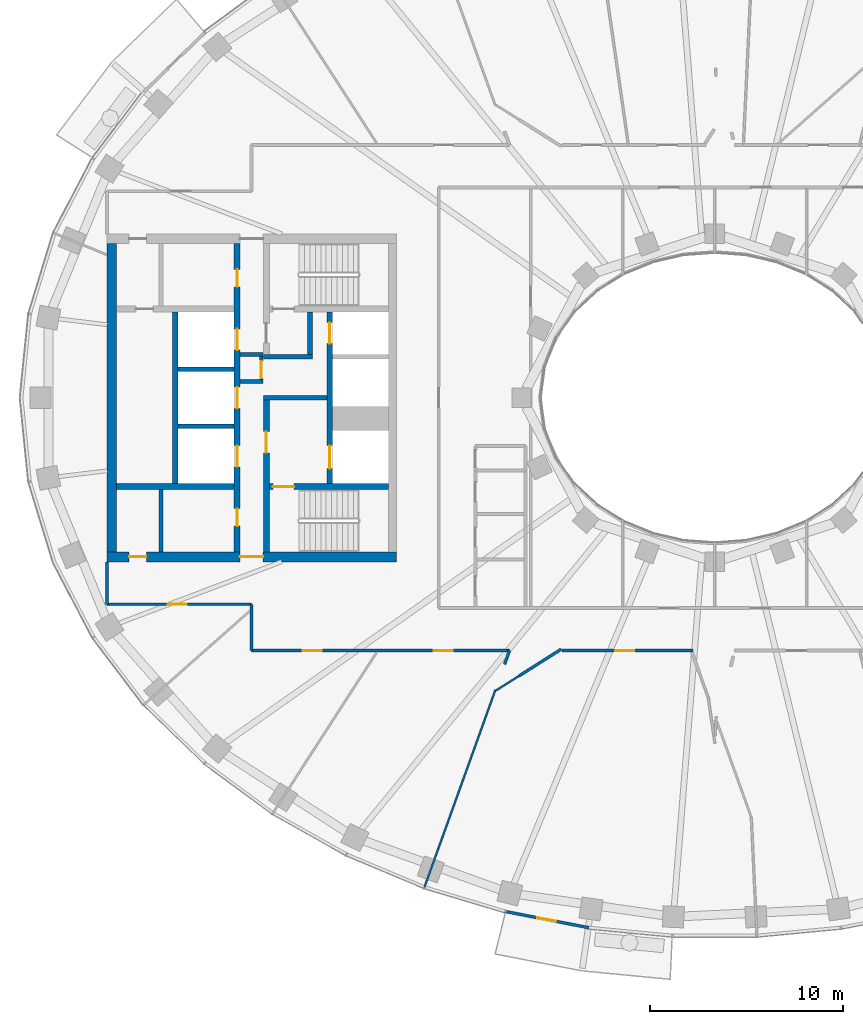
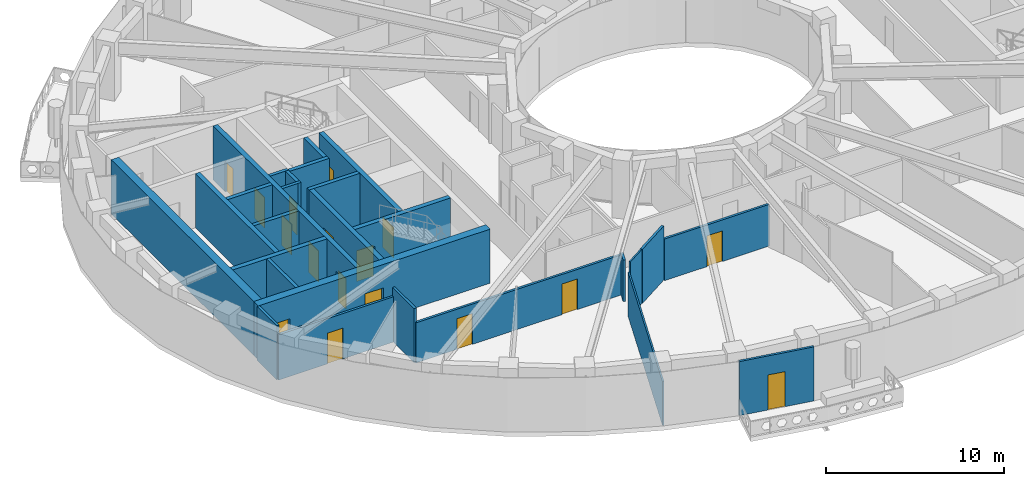
# One storey, part 3 of 16: 27 walls, 17 doors, 17 openings.
"""IFC4 building model written with IfcOpenShell, lengths in metres."""

from ifc_helpers import new_model, si_unit, direction, frame, frame_2d, origin, place, context, subcontext, project, spatial, rectangle, extrude, material, layer, layer_set, type_object, element, fill, save


model = new_model("IFC4")

# Units and contexts
model_context = context("Model", 3, precision=1e-05, world=origin(), true_north=direction((0.0, 1.0)))
body_context = subcontext(model_context, "Body", "Model", "MODEL_VIEW")
ifc_project = project(units=[si_unit("LENGTHUNIT", "METRE"), si_unit("AREAUNIT", "SQUARE_METRE"), si_unit("VOLUMEUNIT", "CUBIC_METRE"), si_unit("PLANEANGLEUNIT", "RADIAN"), si_unit("MASSUNIT", "GRAM", prefix="KILO")], contexts=[model_context])

# Site, building, storey
site_placement = place(None, origin())
site = spatial("IfcSite", under=ifc_project, at=site_placement, CompositionType="ELEMENT")
building_placement = place(site_placement, origin())
building = spatial("IfcBuilding", under=site, at=building_placement, Name="Noorbagh Ring Tower", CompositionType="ELEMENT")
storey_placement = place(building_placement, frame((0.0, 0.0, 237.5)))
storey = spatial("IfcBuildingStorey", under=building, at=storey_placement, Name="L49", CompositionType="ELEMENT", Elevation=237.5)

# Walls
ifc_material_1 = material(Name="Gypsum board on steel studs", Category="steel")
ifc_layer_1 = layer(ifc_material_1, 0.199951171875)
ifc_layer_set_1 = layer_set([ifc_layer_1], Name="Gypsum board on steel studs")
wall_type_1 = type_object("IfcWallType", Name="CORE-PARTITION-200", PredefinedType="PARTITIONING", material=ifc_layer_set_1)
for number, where, z_axis, x_axis, name in (
    (1, (-23.39990234375, 0.85009765625, 0.0), (0.0, 0.0, 1.0), (-1.0, 0.0, 0.0), "Core partition W"),
    (2, (-23.39990234375, 2.25, 0.0), (0.0, 0.0, 1.0), (-1.0, 0.0, 0.0), "Core partition W"),
):
    element("IfcWall", number, at=place(storey_placement, frame(where, z_axis=z_axis, x_axis=x_axis)), inside=storey, type_object=wall_type_1, Name=name, PredefinedType="PARTITIONING", context=body_context, shape_type="SweptSolid", body=[
        extrude(rectangle(XDim=1.2001953125, YDim=0.199951171875, at=frame_2d((0.60009765625, 0.0))), origin(), (0.0, 0.0, 1.0), 3.699951171875),
    ])

# Wall, opening, door
wall_1_placement = place(storey_placement, frame((-23.5, 0.75, 0.0), z_axis=(0.0, 0.0, 1.0), x_axis=(0.0, 1.0, 0.0)))
wall_1 = element("IfcWall", 3, at=wall_1_placement, inside=storey, type_object=wall_type_1, Name="Core partition W", PredefinedType="PARTITIONING", context=body_context, shape_type="SweptSolid", body=[
    extrude(rectangle(XDim=1.60009765625, YDim=0.199951171875, at=frame_2d((0.800048828125, 0.0))), origin(), (0.0, 0.0, 1.0), 3.699951171875),
])
opening_1_placement = place(wall_1_placement, frame((0.25, 0.0, 0.0)))
opening_1 = element("IfcOpeningElement", 4, at=opening_1_placement, cuts=wall_1, Name="Opening L49-CW16", PredefinedType="OPENING", context=body_context, shape_type="SweptSolid", body=[
    extrude(rectangle(XDim=0.89990234375, YDim=2.10009765625, at=frame_2d((0.449951171875, 1.050048828125))), frame((0.0, 0.10986328125, 0.0), z_axis=(0.0, -1.0, 0.0), x_axis=(1.0, 0.0, 0.0)), (0.0, 0.0, 1.0), 0.219970703125),
])
ifc_material_2 = material(Name="Steel door leaf", Category="steel")
door_type_1 = type_object("IfcDoorType", Name="CORE-DOOR-DROOM", OperationType="SINGLE_SWING_LEFT", PredefinedType="DOOR", material=ifc_material_2)
door_1_placement = place(opening_1_placement, origin())
door_1 = element("IfcDoor", 5, at=door_1_placement, inside=storey, type_object=door_type_1, Name="Core room door L49-CW16", OperationType="SINGLE_SWING_RIGHT", OverallHeight=2.10009765625, OverallWidth=0.89990234375, PredefinedType="DOOR", context=body_context, shape_type="SweptSolid", body=[
    extrude(rectangle(XDim=0.89990234375, YDim=2.10009765625, at=frame_2d((0.449951171875, 1.050048828125))), frame((0.0, 0.02490234375, 0.0), z_axis=(0.0, -1.0, 0.0), x_axis=(1.0, 0.0, 0.0)), (0.0, 0.0, 1.0), 0.050048828125),
])
fill(opening_1, door_1)

# Walls
wall_2_placement = place(storey_placement, frame((-28.699951171875, -8.0, 0.0), z_axis=(0.0, 0.0, 1.0), x_axis=(0.0, 1.0, 0.0)))
element("IfcWall", 6, at=wall_2_placement, inside=storey, type_object=wall_type_1, Name="Core partition W", PredefinedType="PARTITIONING", context=body_context, shape_type="SweptSolid", body=[
    extrude(rectangle(XDim=3.25, YDim=0.199951171875, at=frame_2d((1.625, 0.0))), origin(), (0.0, 0.0, 1.0), 3.699951171875),
])
ifc_material_3 = material(Name="Concrete C60/75", Category="concrete")
ifc_layer_2 = layer(ifc_material_3, 0.25)
ifc_layer_set_2 = layer_set([ifc_layer_2], Name="Concrete C60/75")
wall_type_2 = type_object("IfcWallType", Name="CORE-WALL-250-C60-75-EI120", PredefinedType="SHEAR", material=ifc_layer_set_2)
for number, where, z_axis, x_axis, name in (
    (7, (-24.89990234375, -1.47509765625, 0.0), (0.0, 0.0, 1.0), (-1.0, 0.0, 0.0), "Core wall W"),
    (8, (-24.89990234375, 1.47509765625, 0.0), (0.0, 0.0, 1.0), (-1.0, 0.0, 0.0), "Core wall W"),
):
    element("IfcWall", number, at=place(storey_placement, frame(where, z_axis=z_axis, x_axis=x_axis)), inside=storey, type_object=wall_type_2, Name=name, PredefinedType="SHEAR", context=body_context, shape_type="SweptSolid", body=[
        extrude(rectangle(XDim=2.900146484375, YDim=0.25, at=frame_2d((1.4501953125, 0.0))), origin(), (0.0, 0.0, 1.0), 3.699951171875),
    ])
ifc_material_4 = material(Name="Concrete C60/75", Category="concrete")
ifc_layer_3 = layer(ifc_material_4, 0.25)
ifc_layer_set_3 = layer_set([ifc_layer_3], Name="Concrete C60/75")
wall_type_3 = type_object("IfcWallType", Name="CORE-WALL-250-C60-75-EI240", PredefinedType="SHEAR", material=ifc_layer_set_3)
wall_3_placement = place(storey_placement, frame((-20.10009765625, 0.0, 0.0), z_axis=(0.0, 0.0, 1.0), x_axis=(-1.0, 0.0, 0.0)))
element("IfcWall", 9, at=wall_3_placement, inside=storey, type_object=wall_type_3, Name="Core wall W", PredefinedType="SHEAR", context=body_context, shape_type="SweptSolid", body=[
    extrude(rectangle(XDim=3.27978515625, YDim=0.25, at=frame_2d((1.639892578125, 0.0))), origin(), (0.0, 0.0, 1.0), 3.699951171875),
])
wall_4_placement = place(storey_placement, frame((-20.85009765625, 2.125, 0.0), z_axis=(0.0, 0.0, 1.0), x_axis=(-1.0, 0.0, 0.0)))
element("IfcWall", 10, at=wall_4_placement, inside=storey, type_object=wall_type_3, Name="Core wall W", PredefinedType="SHEAR", context=body_context, shape_type="SweptSolid", body=[
    extrude(rectangle(XDim=2.52978515625, YDim=0.25, at=frame_2d((1.264892578125, 0.0))), origin(), (0.0, 0.0, 1.0), 3.699951171875),
])
wall_5_placement = place(storey_placement, frame((-20.97509765625, 2.25, 0.0), z_axis=(0.0, 0.0, 1.0), x_axis=(0.0, 1.0, 0.0)))
element("IfcWall", 11, at=wall_5_placement, inside=storey, type_object=wall_type_3, Name="Core wall W", PredefinedType="SHEAR", context=body_context, shape_type="SweptSolid", body=[
    extrude(rectangle(XDim=2.199951171875, YDim=0.25, at=frame_2d((1.10009765625, 0.0))), origin(), (0.0, 0.0, 1.0), 3.699951171875),
])
ifc_material_5 = material(Name="Concrete C60/75", Category="concrete")
ifc_layer_4 = layer(ifc_material_5, 0.300048828125)
ifc_layer_set_4 = layer_set([ifc_layer_4], Name="Concrete C60/75")
wall_type_4 = type_object("IfcWallType", Name="CORE-WALL-300-C60-75-EI120", PredefinedType="SHEAR", material=ifc_layer_set_4)
wall_6_placement = place(storey_placement, frame((-27.949951171875, -4.449951171875, 0.0), z_axis=(0.0, 0.0, 1.0), x_axis=(0.0, 1.0, 0.0)))
element("IfcWall", 12, at=wall_6_placement, inside=storey, type_object=wall_type_4, Name="Core wall W", PredefinedType="SHEAR", context=body_context, shape_type="SweptSolid", body=[
    extrude(rectangle(XDim=8.89990234375, YDim=0.300048828125, at=frame_2d((4.449951171875, 0.0))), origin(), (0.0, 0.0, 1.0), 3.699951171875),
])

# Wall, openings, doors
wall_7_placement = place(storey_placement, frame((-19.949951171875, -4.449951171875, 0.0), z_axis=(0.0, 0.0, 1.0), x_axis=(0.0, 1.0, 0.0)))
wall_7 = element("IfcWall", 13, at=wall_7_placement, inside=storey, type_object=wall_type_4, Name="Core wall W", PredefinedType="SHEAR", context=body_context, shape_type="SweptSolid", body=[
    extrude(rectangle(XDim=8.89990234375, YDim=0.300048828125, at=frame_2d((4.449951171875, 0.0))), origin(), (0.0, 0.0, 1.0), 3.699951171875),
])
opening_2_placement = place(wall_7_placement, frame((0.77490234375, 0.0, 0.0)))
opening_2 = element("IfcOpeningElement", 14, at=opening_2_placement, cuts=wall_7, Name="Opening L49-CW01", PredefinedType="OPENING", context=body_context, shape_type="SweptSolid", body=[
    extrude(rectangle(XDim=1.199951171875, YDim=2.10009765625, at=frame_2d((0.60009765625, 1.050048828125))), frame((0.0, 0.16015625, 0.0), z_axis=(0.0, -1.0, 0.0), x_axis=(1.0, 0.0, 0.0)), (0.0, 0.0, 1.0), 0.320068359375),
])
opening_3_placement = place(wall_7_placement, frame((7.25, 0.0, 0.0)))
opening_3 = element("IfcOpeningElement", 15, at=opening_3_placement, cuts=wall_7, Name="Opening L49-CW02", PredefinedType="OPENING", context=body_context, shape_type="SweptSolid", body=[
    extrude(rectangle(XDim=1.10009765625, YDim=2.10009765625, at=frame_2d((0.550048828125, 1.050048828125))), frame((0.0, 0.16015625, 0.0), z_axis=(0.0, -1.0, 0.0), x_axis=(1.0, 0.0, 0.0)), (0.0, 0.0, 1.0), 0.320068359375),
])
ifc_material_6 = material(Name="Steel door leaf", Category="steel")
door_type_2 = type_object("IfcDoorType", Name="CORE-DOOR-LD", OperationType="DOUBLE_DOOR_SLIDING", PredefinedType="DOOR", material=ifc_material_6)
door_2_placement = place(opening_3_placement, origin())
door_2 = element("IfcDoor", 16, at=door_2_placement, inside=storey, type_object=door_type_2, Name="Landing door HR1 L49-CW02", OperationType="DOUBLE_DOOR_SLIDING", OverallHeight=2.10009765625, OverallWidth=1.10009765625, PredefinedType="DOOR", context=body_context, shape_type="SweptSolid", body=[
    extrude(rectangle(XDim=1.10009765625, YDim=2.10009765625, at=frame_2d((0.550048828125, 1.050048828125))), frame((0.0, 0.02490234375, 0.0), z_axis=(0.0, -1.0, 0.0), x_axis=(1.0, 0.0, 0.0)), (0.0, 0.0, 1.0), 0.050048828125),
])
fill(opening_3, door_2)
ifc_material_7 = material(Name="Steel door leaf", Category="steel")
door_type_3 = type_object("IfcDoorType", Name="CORE-DOOR-LDW", OperationType="DOUBLE_DOOR_SLIDING", PredefinedType="DOOR", material=ifc_material_7)
door_3_placement = place(opening_2_placement, origin())
door_3 = element("IfcDoor", 17, at=door_3_placement, inside=storey, type_object=door_type_3, Name="Landing door FF1 L49-CW01", OperationType="DOUBLE_DOOR_SLIDING", OverallHeight=2.10009765625, OverallWidth=1.199951171875, PredefinedType="DOOR", context=body_context, shape_type="SweptSolid", body=[
    extrude(rectangle(XDim=1.199951171875, YDim=2.10009765625, at=frame_2d((0.60009765625, 1.050048828125))), frame((0.0, 0.02490234375, 0.0), z_axis=(0.0, -1.0, 0.0), x_axis=(1.0, 0.0, 0.0)), (0.0, 0.0, 1.0), 0.050048828125),
])
fill(opening_2, door_3)

wall_8_placement = place(storey_placement, frame((-24.75, -8.0, 0.0), z_axis=(0.0, 0.0, 1.0), x_axis=(0.0, 1.0, 0.0)))
wall_8 = element("IfcWall", 18, at=wall_8_placement, inside=storey, type_object=wall_type_4, Name="Core wall W", PredefinedType="SHEAR", context=body_context, shape_type="SweptSolid", body=[
    extrude(rectangle(XDim=16.0, YDim=0.300048828125, at=frame_2d((8.0, 0.0))), origin(), (0.0, 0.0, 1.0), 3.699951171875),
])
opening_4_placement = place(wall_8_placement, frame((4.425048828125, 0.0, 0.0)))
opening_4 = element("IfcOpeningElement", 19, at=opening_4_placement, cuts=wall_8, Name="Opening L49-CW03", PredefinedType="OPENING", context=body_context, shape_type="SweptSolid", body=[
    extrude(rectangle(XDim=1.10009765625, YDim=2.10009765625, at=frame_2d((0.550048828125, 1.050048828125))), frame((0.0, 0.16015625, 0.0), z_axis=(0.0, -1.0, 0.0), x_axis=(1.0, 0.0, 0.0)), (0.0, 0.0, 1.0), 0.320068359375),
])
opening_5_placement = place(wall_8_placement, frame((7.449951171875, 0.0, 0.0)))
opening_5 = element("IfcOpeningElement", 20, at=opening_5_placement, cuts=wall_8, Name="Opening L49-CW04", PredefinedType="OPENING", context=body_context, shape_type="SweptSolid", body=[
    extrude(rectangle(XDim=1.10009765625, YDim=2.10009765625, at=frame_2d((0.550048828125, 1.050048828125))), frame((0.0, 0.16015625, 0.0), z_axis=(0.0, -1.0, 0.0), x_axis=(1.0, 0.0, 0.0)), (0.0, 0.0, 1.0), 0.320068359375),
])
opening_6_placement = place(wall_8_placement, frame((10.47509765625, 0.0, 0.0)))
opening_6 = element("IfcOpeningElement", 21, at=opening_6_placement, cuts=wall_8, Name="Opening L49-CW05", PredefinedType="OPENING", context=body_context, shape_type="SweptSolid", body=[
    extrude(rectangle(XDim=1.10009765625, YDim=2.10009765625, at=frame_2d((0.550048828125, 1.050048828125))), frame((0.0, 0.16015625, 0.0), z_axis=(0.0, -1.0, 0.0), x_axis=(1.0, 0.0, 0.0)), (0.0, 0.0, 1.0), 0.320068359375),
])
opening_7_placement = place(wall_8_placement, frame((13.75, 0.0, 0.0)))
opening_7 = element("IfcOpeningElement", 22, at=opening_7_placement, cuts=wall_8, Name="Opening L49-CW12", PredefinedType="OPENING", context=body_context, shape_type="SweptSolid", body=[
    extrude(rectangle(XDim=0.89990234375, YDim=2.10009765625, at=frame_2d((0.449951171875, 1.050048828125))), frame((0.0, 0.16015625, 0.0), z_axis=(0.0, -1.0, 0.0), x_axis=(1.0, 0.0, 0.0)), (0.0, 0.0, 1.0), 0.320068359375),
])
opening_8_placement = place(wall_8_placement, frame((1.35009765625, 0.0, 0.0)))
opening_8 = element("IfcOpeningElement", 23, at=opening_8_placement, cuts=wall_8, Name="Opening L49-CW14", PredefinedType="OPENING", context=body_context, shape_type="SweptSolid", body=[
    extrude(rectangle(XDim=0.89990234375, YDim=2.10009765625, at=frame_2d((0.449951171875, 1.050048828125))), frame((0.0, 0.16015625, 0.0), z_axis=(0.0, -1.0, 0.0), x_axis=(1.0, 0.0, 0.0)), (0.0, 0.0, 1.0), 0.320068359375),
])
door_4_placement = place(opening_7_placement, origin())
door_4 = element("IfcDoor", 24, at=door_4_placement, inside=storey, type_object=door_type_1, Name="Core room door L49-CW12", OperationType="SINGLE_SWING_RIGHT", OverallHeight=2.10009765625, OverallWidth=0.89990234375, PredefinedType="DOOR", context=body_context, shape_type="SweptSolid", body=[
    extrude(rectangle(XDim=0.89990234375, YDim=2.10009765625, at=frame_2d((0.449951171875, 1.050048828125))), frame((0.0, 0.02490234375, 0.0), z_axis=(0.0, -1.0, 0.0), x_axis=(1.0, 0.0, 0.0)), (0.0, 0.0, 1.0), 0.050048828125),
])
fill(opening_7, door_4)
door_5_placement = place(opening_8_placement, origin())
door_5 = element("IfcDoor", 25, at=door_5_placement, inside=storey, type_object=door_type_1, Name="Core room door L49-CW14", OperationType="SINGLE_SWING_LEFT", OverallHeight=2.10009765625, OverallWidth=0.89990234375, PredefinedType="DOOR", context=body_context, shape_type="SweptSolid", body=[
    extrude(rectangle(XDim=0.89990234375, YDim=2.10009765625, at=frame_2d((0.449951171875, 1.050048828125))), frame((0.0, 0.02490234375, 0.0), z_axis=(0.0, -1.0, 0.0), x_axis=(1.0, 0.0, 0.0)), (0.0, 0.0, 1.0), 0.050048828125),
])
fill(opening_8, door_5)
door_6_placement = place(opening_4_placement, origin())
door_6 = element("IfcDoor", 26, at=door_6_placement, inside=storey, type_object=door_type_2, Name="Landing door HR2 L49-CW03", OperationType="DOUBLE_DOOR_SLIDING", OverallHeight=2.10009765625, OverallWidth=1.10009765625, PredefinedType="DOOR", context=body_context, shape_type="SweptSolid", body=[
    extrude(rectangle(XDim=1.10009765625, YDim=2.10009765625, at=frame_2d((0.550048828125, 1.050048828125))), frame((0.0, 0.02490234375, 0.0), z_axis=(0.0, -1.0, 0.0), x_axis=(1.0, 0.0, 0.0)), (0.0, 0.0, 1.0), 0.050048828125),
])
fill(opening_4, door_6)
door_7_placement = place(opening_5_placement, origin())
door_7 = element("IfcDoor", 27, at=door_7_placement, inside=storey, type_object=door_type_2, Name="Landing door HR3 L49-CW04", OperationType="DOUBLE_DOOR_SLIDING", OverallHeight=2.10009765625, OverallWidth=1.10009765625, PredefinedType="DOOR", context=body_context, shape_type="SweptSolid", body=[
    extrude(rectangle(XDim=1.10009765625, YDim=2.10009765625, at=frame_2d((0.550048828125, 1.050048828125))), frame((0.0, 0.02490234375, 0.0), z_axis=(0.0, -1.0, 0.0), x_axis=(1.0, 0.0, 0.0)), (0.0, 0.0, 1.0), 0.050048828125),
])
fill(opening_5, door_7)
door_8_placement = place(opening_6_placement, origin())
door_8 = element("IfcDoor", 28, at=door_8_placement, inside=storey, type_object=door_type_2, Name="Landing door HR4 L49-CW05", OperationType="DOUBLE_DOOR_SLIDING", OverallHeight=2.10009765625, OverallWidth=1.10009765625, PredefinedType="DOOR", context=body_context, shape_type="SweptSolid", body=[
    extrude(rectangle(XDim=1.10009765625, YDim=2.10009765625, at=frame_2d((0.550048828125, 1.050048828125))), frame((0.0, 0.02490234375, 0.0), z_axis=(0.0, -1.0, 0.0), x_axis=(1.0, 0.0, 0.0)), (0.0, 0.0, 1.0), 0.050048828125),
])
fill(opening_6, door_8)

# Wall
ifc_material_8 = material(Name="Concrete C60/75", Category="concrete")
ifc_layer_5 = layer(ifc_material_8, 0.300048828125)
ifc_layer_set_5 = layer_set([ifc_layer_5], Name="Concrete C60/75")
wall_type_5 = type_object("IfcWallType", Name="CORE-WALL-300-C60-75-EI240", PredefinedType="SHEAR", material=ifc_layer_set_5)
wall_9_placement = place(storey_placement, frame((-24.89990234375, -4.60009765625, 0.0), z_axis=(0.0, 0.0, 1.0), x_axis=(-1.0, 0.0, 0.0)))
element("IfcWall", 29, at=wall_9_placement, inside=storey, type_object=wall_type_5, Name="Core wall W", PredefinedType="SHEAR", context=body_context, shape_type="SweptSolid", body=[
    extrude(rectangle(XDim=6.10009765625, YDim=0.300048828125, at=frame_2d((3.050048828125, 0.0))), origin(), (0.0, 0.0, 1.0), 3.699951171875),
])

# Wall, opening, door
wall_10_placement = place(storey_placement, frame((-23.22998046875, -8.0, 0.0), z_axis=(0.0, 0.0, 1.0), x_axis=(0.0, 1.0, 0.0)))
wall_10 = element("IfcWall", 30, at=wall_10_placement, inside=storey, type_object=wall_type_5, Name="Core wall W", PredefinedType="SHEAR", context=body_context, shape_type="SweptSolid", body=[
    extrude(rectangle(XDim=7.875, YDim=0.300048828125, at=frame_2d((3.9375, 0.0))), origin(), (0.0, 0.0, 1.0), 3.699951171875),
])
opening_9_placement = place(wall_10_placement, frame((5.14990234375, 0.0, 0.0)))
opening_9 = element("IfcOpeningElement", 31, at=opening_9_placement, cuts=wall_10, Name="Opening L49-CW08", PredefinedType="OPENING", context=body_context, shape_type="SweptSolid", body=[
    extrude(rectangle(XDim=1.10009765625, YDim=2.10009765625, at=frame_2d((0.550048828125, 1.050048828125))), frame((0.0, 0.16015625, 0.0), z_axis=(0.0, -1.0, 0.0), x_axis=(1.0, 0.0, 0.0)), (0.0, 0.0, 1.0), 0.320068359375),
])
ifc_material_9 = material(Name="Steel door leaf", Category="steel")
door_type_4 = type_object("IfcDoorType", Name="CORE-DOOR-DFF", OperationType="SINGLE_SWING_LEFT", PredefinedType="DOOR", material=ifc_material_9)
door_9_placement = place(opening_9_placement, origin())
door_9 = element("IfcDoor", 32, at=door_9_placement, inside=storey, type_object=door_type_4, Name="Firefighting lobby door L49-CW08", OperationType="SINGLE_SWING_LEFT", OverallHeight=2.10009765625, OverallWidth=1.10009765625, PredefinedType="DOOR", context=body_context, shape_type="SweptSolid", body=[
    extrude(rectangle(XDim=1.10009765625, YDim=2.10009765625, at=frame_2d((0.550048828125, 1.050048828125))), frame((0.0, 0.02490234375, 0.0), z_axis=(0.0, -1.0, 0.0), x_axis=(1.0, 0.0, 0.0)), (0.0, 0.0, 1.0), 0.050048828125),
])
fill(opening_9, door_9)

wall_11_placement = place(storey_placement, frame((-16.89990234375, -4.60009765625, 0.0), z_axis=(0.0, 0.0, 1.0), x_axis=(-1.0, 0.0, 0.0)))
wall_11 = element("IfcWall", 33, at=wall_11_placement, inside=storey, type_object=wall_type_5, Name="Core wall W", PredefinedType="SHEAR", context=body_context, shape_type="SweptSolid", body=[
    extrude(rectangle(XDim=6.18017578125, YDim=0.300048828125, at=frame_2d((3.090087890625, 0.0))), origin(), (0.0, 0.0, 1.0), 3.699951171875),
])
opening_10_placement = place(wall_11_placement, frame((4.89990234375, 0.0, 0.0)))
opening_10 = element("IfcOpeningElement", 34, at=opening_10_placement, cuts=wall_11, Name="Opening L49-CW07", PredefinedType="OPENING", context=body_context, shape_type="SweptSolid", body=[
    extrude(rectangle(XDim=1.10009765625, YDim=2.10009765625, at=frame_2d((0.550048828125, 1.050048828125))), frame((0.0, 0.16015625, 0.0), z_axis=(0.0, -1.0, 0.0), x_axis=(1.0, 0.0, 0.0)), (0.0, 0.0, 1.0), 0.320068359375),
])
ifc_material_10 = material(Name="Steel door leaf", Category="steel")
door_type_5 = type_object("IfcDoorType", Name="CORE-DOOR-DSTAIR", OperationType="SINGLE_SWING_LEFT", PredefinedType="DOOR", material=ifc_material_10)
door_10_placement = place(opening_10_placement, origin())
door_10 = element("IfcDoor", 35, at=door_10_placement, inside=storey, type_object=door_type_5, Name="Stair door ST2 L49-CW07", OperationType="SINGLE_SWING_LEFT", OverallHeight=2.10009765625, OverallWidth=1.10009765625, PredefinedType="DOOR", context=body_context, shape_type="SweptSolid", body=[
    extrude(rectangle(XDim=1.10009765625, YDim=2.10009765625, at=frame_2d((0.550048828125, 1.050048828125))), frame((0.0, 0.02490234375, 0.0), z_axis=(0.0, -1.0, 0.0), x_axis=(1.0, 0.0, 0.0)), (0.0, 0.0, 1.0), 0.050048828125),
])
fill(opening_10, door_10)

# Wall, openings, doors
ifc_material_11 = material(Name="Concrete C60/75", Category="concrete")
ifc_layer_6 = layer(ifc_material_11, 0.5)
ifc_layer_set_6 = layer_set([ifc_layer_6], Name="Concrete C60/75")
wall_type_6 = type_object("IfcWallType", Name="CORE-WALL-500-C60-75-EI240", PredefinedType="SHEAR", material=ifc_layer_set_6)
wall_12_placement = place(storey_placement, frame((-16.5, -8.25, 0.0), z_axis=(0.0, 0.0, 1.0), x_axis=(-1.0, 0.0, 0.0)))
wall_12 = element("IfcWall", 36, at=wall_12_placement, inside=storey, type_object=wall_type_6, Name="Core wall W", PredefinedType="SHEAR", context=body_context, shape_type="SweptSolid", body=[
    extrude(rectangle(XDim=15.0, YDim=0.5, at=frame_2d((7.5, 0.0))), origin(), (0.0, 0.0, 1.0), 3.699951171875),
])
opening_11_placement = place(wall_12_placement, frame((6.89990234375, 0.0, 0.0)))
opening_11 = element("IfcOpeningElement", 37, at=opening_11_placement, cuts=wall_12, Name="Opening L49-CW11", PredefinedType="OPENING", context=body_context, shape_type="SweptSolid", body=[
    extrude(rectangle(XDim=1.199951171875, YDim=2.10009765625, at=frame_2d((0.60009765625, 1.050048828125))), frame((0.0, 0.260009765625, 0.0), z_axis=(0.0, -1.0, 0.0), x_axis=(1.0, 0.0, 0.0)), (0.0, 0.0, 1.0), 0.52001953125),
])
opening_12_placement = place(wall_12_placement, frame((12.949951171875, 0.0, 0.0)))
opening_12 = element("IfcOpeningElement", 38, at=opening_12_placement, cuts=wall_12, Name="Opening L49-CW15", PredefinedType="OPENING", context=body_context, shape_type="SweptSolid", body=[
    extrude(rectangle(XDim=0.89990234375, YDim=2.10009765625, at=frame_2d((0.449951171875, 1.050048828125))), frame((0.0, 0.260009765625, 0.0), z_axis=(0.0, -1.0, 0.0), x_axis=(1.0, 0.0, 0.0)), (0.0, 0.0, 1.0), 0.52001953125),
])
door_11_placement = place(opening_12_placement, origin())
door_11 = element("IfcDoor", 39, at=door_11_placement, inside=storey, type_object=door_type_1, Name="Core room door L49-CW15", OperationType="SINGLE_SWING_LEFT", OverallHeight=2.10009765625, OverallWidth=0.89990234375, PredefinedType="DOOR", context=body_context, shape_type="SweptSolid", body=[
    extrude(rectangle(XDim=0.89990234375, YDim=2.10009765625, at=frame_2d((0.449951171875, 1.050048828125))), frame((0.0, 0.02490234375, 0.0), z_axis=(0.0, -1.0, 0.0), x_axis=(1.0, 0.0, 0.0)), (0.0, 0.0, 1.0), 0.050048828125),
])
fill(opening_12, door_11)
ifc_material_12 = material(Name="Steel door leaf", Category="steel")
door_type_6 = type_object("IfcDoorType", Name="CORE-DOOR-PORT", OperationType="DOUBLE_DOOR_DOUBLE_SWING", PredefinedType="DOOR", material=ifc_material_12)
door_12_placement = place(opening_11_placement, origin())
door_12 = element("IfcDoor", 40, at=door_12_placement, inside=storey, type_object=door_type_6, Name="Core entrance door L49-CW11", OperationType="DOUBLE_DOOR_DOUBLE_SWING", OverallHeight=2.10009765625, OverallWidth=1.199951171875, PredefinedType="DOOR", context=body_context, shape_type="SweptSolid", body=[
    extrude(rectangle(XDim=1.199951171875, YDim=2.10009765625, at=frame_2d((0.60009765625, 1.050048828125))), frame((0.0, 0.02490234375, 0.0), z_axis=(0.0, -1.0, 0.0), x_axis=(1.0, 0.0, 0.0)), (0.0, 0.0, 1.0), 0.050048828125),
])
fill(opening_11, door_12)

# Walls
wall_13_placement = place(storey_placement, frame((-31.25, -8.0, 0.0), z_axis=(0.0, 0.0, 1.0), x_axis=(0.0, 1.0, 0.0)))
element("IfcWall", 41, at=wall_13_placement, inside=storey, type_object=wall_type_6, Name="Core wall W", PredefinedType="SHEAR", context=body_context, shape_type="SweptSolid", body=[
    extrude(rectangle(XDim=16.0, YDim=0.5, at=frame_2d((8.0, 0.0))), origin(), (0.0, 0.0, 1.0), 3.699951171875),
])
ifc_material_13 = material(Name="Gypsum board on steel studs", Category="steel")
ifc_layer_7 = layer(ifc_material_13, 0.14990234375)
ifc_layer_set_7 = layer_set([ifc_layer_7], Name="Gypsum board on steel studs")
wall_type_7 = type_object("IfcWallType", Name="CORRIDOR PARTITION 150 EI 30", PredefinedType="PARTITIONING", material=ifc_layer_set_7)
wall_14_placement = place(storey_placement, frame((-31.5, -10.699951171875, 0.0), z_axis=(0.0, 0.0, 1.0), x_axis=(0.0, 1.0, 0.0)))
element("IfcWall", 42, at=wall_14_placement, inside=storey, type_object=wall_type_7, Name="L49/wall/P02", PredefinedType="PARTITIONING", context=body_context, shape_type="SweptSolid", body=[
    extrude(rectangle(XDim=2.199951171875, YDim=0.14990234375, at=frame_2d((1.10009765625, 0.0))), origin(), (0.0, 0.0, 1.0), 3.699951171875),
])

# Wall, opening, door
wall_15_placement = place(storey_placement, frame((-31.5, -10.699951171875, 0.0), z_axis=(0.0, 0.0, 1.0), x_axis=(1.0, 0.0, 0.0)))
wall_15 = element("IfcWall", 43, at=wall_15_placement, inside=storey, type_object=wall_type_7, Name="L49/wall/P03", PredefinedType="PARTITIONING", context=body_context, shape_type="SweptSolid", body=[
    extrude(rectangle(XDim=7.5, YDim=0.14990234375, at=frame_2d((3.75, 0.0))), origin(), (0.0, 0.0, 1.0), 3.10009765625),
])
opening_13_placement = place(wall_15_placement, frame((3.14990234375, 0.0, 0.0)))
opening_13 = element("IfcOpeningElement", 44, at=opening_13_placement, cuts=wall_15, Name="Opening D1", PredefinedType="OPENING", context=body_context, shape_type="SweptSolid", body=[
    extrude(rectangle(XDim=1.0, YDim=2.10009765625, at=frame_2d((0.5, 1.050048828125))), frame((0.0, 0.0849609375, 0.0), z_axis=(0.0, -1.0, 0.0), x_axis=(1.0, 0.0, 0.0)), (0.0, 0.0, 1.0), 0.169921875),
])
ifc_material_14 = material(Name="Timber, painted", Category="wood")
door_type_7 = type_object("IfcDoorType", Name="DOOR 1000 X 2100 FD30", OperationType="SINGLE_SWING_LEFT", PredefinedType="DOOR", material=ifc_material_14)
door_13_placement = place(opening_13_placement, origin())
door_13 = element("IfcDoor", 45, at=door_13_placement, inside=storey, type_object=door_type_7, Name="L49-D06", OperationType="SINGLE_SWING_RIGHT", OverallHeight=2.10009765625, OverallWidth=1.0, PredefinedType="DOOR", context=body_context, shape_type="SweptSolid", body=[
    extrude(rectangle(XDim=1.0, YDim=2.10009765625, at=frame_2d((0.5, 1.050048828125))), frame((0.0, 0.02490234375, 0.0), z_axis=(0.0, -1.0, 0.0), x_axis=(1.0, 0.0, 0.0)), (0.0, 0.0, 1.0), 0.050048828125),
])
fill(opening_13, door_13)

# Wall
wall_16_placement = place(storey_placement, frame((-24.0, -13.10009765625, 0.0), z_axis=(0.0, 0.0, 1.0), x_axis=(0.0, 1.0, 0.0)))
element("IfcWall", 46, at=wall_16_placement, inside=storey, type_object=wall_type_7, Name="L49/wall/P07", PredefinedType="PARTITIONING", context=body_context, shape_type="SweptSolid", body=[
    extrude(rectangle(XDim=2.400146484375, YDim=0.14990234375, at=frame_2d((1.2001953125, 0.0))), origin(), (0.0, 0.0, 1.0), 3.699951171875),
])

# Wall, openings, doors
wall_17_placement = place(storey_placement, frame((-24.0, -13.10009765625, 0.0), z_axis=(0.0, 0.0, 1.0), x_axis=(1.0, 0.0, 0.0)))
wall_17 = element("IfcWall", 47, at=wall_17_placement, inside=storey, type_object=wall_type_7, Name="L49/wall/P08", PredefinedType="PARTITIONING", context=body_context, shape_type="SweptSolid", body=[
    extrude(rectangle(XDim=13.35693359375, YDim=0.14990234375, at=frame_2d((6.678466796875, 0.0))), origin(), (0.0, 0.0, 1.0), 2.75),
])
opening_14_placement = place(wall_17_placement, frame((2.64990234375, 0.0, 0.0)))
opening_14 = element("IfcOpeningElement", 48, at=opening_14_placement, cuts=wall_17, Name="Opening D1", PredefinedType="OPENING", context=body_context, shape_type="SweptSolid", body=[
    extrude(rectangle(XDim=1.0, YDim=2.10009765625, at=frame_2d((0.5, 1.050048828125))), frame((0.0, 0.0849609375, 0.0), z_axis=(0.0, -1.0, 0.0), x_axis=(1.0, 0.0, 0.0)), (0.0, 0.0, 1.0), 0.169921875),
])
opening_15_placement = place(wall_17_placement, frame((9.43603515625, 0.0, 0.0)))
opening_15 = element("IfcOpeningElement", 49, at=opening_15_placement, cuts=wall_17, Name="Opening D1", PredefinedType="OPENING", context=body_context, shape_type="SweptSolid", body=[
    extrude(rectangle(XDim=1.0, YDim=2.10009765625, at=frame_2d((0.5, 1.050048828125))), frame((0.0, 0.0849609375, 0.0), z_axis=(0.0, -1.0, 0.0), x_axis=(1.0, 0.0, 0.0)), (0.0, 0.0, 1.0), 0.169921875),
])
door_14_placement = place(opening_14_placement, origin())
door_14 = element("IfcDoor", 50, at=door_14_placement, inside=storey, type_object=door_type_7, Name="L49-D08", OperationType="SINGLE_SWING_RIGHT", OverallHeight=2.10009765625, OverallWidth=1.0, PredefinedType="DOOR", context=body_context, shape_type="SweptSolid", body=[
    extrude(rectangle(XDim=1.0, YDim=2.10009765625, at=frame_2d((0.5, 1.050048828125))), frame((0.0, 0.02490234375, 0.0), z_axis=(0.0, -1.0, 0.0), x_axis=(1.0, 0.0, 0.0)), (0.0, 0.0, 1.0), 0.050048828125),
])
fill(opening_14, door_14)
door_15_placement = place(opening_15_placement, origin())
door_15 = element("IfcDoor", 51, at=door_15_placement, inside=storey, type_object=door_type_7, Name="L49-D09", OperationType="SINGLE_SWING_LEFT", OverallHeight=2.10009765625, OverallWidth=1.0, PredefinedType="DOOR", context=body_context, shape_type="SweptSolid", body=[
    extrude(rectangle(XDim=1.0, YDim=2.10009765625, at=frame_2d((0.5, 1.050048828125))), frame((0.0, 0.02490234375, 0.0), z_axis=(0.0, -1.0, 0.0), x_axis=(1.0, 0.0, 0.0)), (0.0, 0.0, 1.0), 0.050048828125),
])
fill(opening_15, door_15)

# Walls
wall_18_placement = place(storey_placement, frame((-10.887939453125, -13.81396484375, 0.0), z_axis=(0.0, 0.0, 1.0), x_axis=(0.337396703232, 0.941362557492, 0.0)))
element("IfcWall", 52, at=wall_18_placement, inside=storey, type_object=wall_type_7, Name="L49/wall/P26", PredefinedType="PARTITIONING", context=body_context, shape_type="SweptSolid", body=[
    extrude(rectangle(XDim=0.75830078125, YDim=0.14990234375, at=frame_2d((0.379150390625, 0.0))), origin(), (0.0, 0.0, 1.0), 2.85009765625),
])
wall_19_placement = place(storey_placement, frame((-10.136962890625, -14.4130859375, 0.0), z_axis=(0.0, 0.0, 1.0), x_axis=(0.844665601723, 0.535294331434, 0.0)))
element("IfcWall", 53, at=wall_19_placement, inside=storey, type_object=wall_type_7, Name="L49/wall/P28", PredefinedType="PARTITIONING", context=body_context, shape_type="SweptSolid", body=[
    extrude(rectangle(XDim=2.589111328125, YDim=0.14990234375, at=frame_2d((1.29443359375, 0.0))), origin(), (0.0, 0.0, 1.0), 3.699951171875),
])

# Wall, opening, door
wall_20_placement = place(storey_placement, frame((-7.925048828125, -13.10009765625, 0.0), z_axis=(0.0, 0.0, 1.0), x_axis=(1.0, 0.0, 0.0)))
wall_20 = element("IfcWall", 54, at=wall_20_placement, inside=storey, type_object=wall_type_7, Name="L49/wall/P33", PredefinedType="PARTITIONING", context=body_context, shape_type="SweptSolid", body=[
    extrude(rectangle(XDim=6.795166015625, YDim=0.14990234375, at=frame_2d((3.3974609375, 0.0))), origin(), (0.0, 0.0, 1.0), 2.85009765625),
])
opening_16_placement = place(wall_20_placement, frame((2.760009765625, 0.0, 0.0)))
opening_16 = element("IfcOpeningElement", 55, at=opening_16_placement, cuts=wall_20, Name="Opening D1", PredefinedType="OPENING", context=body_context, shape_type="SweptSolid", body=[
    extrude(rectangle(XDim=1.0, YDim=2.10009765625, at=frame_2d((0.5, 1.050048828125))), frame((0.0, 0.0849609375, 0.0), z_axis=(0.0, -1.0, 0.0), x_axis=(1.0, 0.0, 0.0)), (0.0, 0.0, 1.0), 0.169921875),
])
door_16_placement = place(opening_16_placement, origin())
door_16 = element("IfcDoor", 56, at=door_16_placement, inside=storey, type_object=door_type_7, Name="L49-D11", OperationType="SINGLE_SWING_LEFT", OverallHeight=2.10009765625, OverallWidth=1.0, PredefinedType="DOOR", context=body_context, shape_type="SweptSolid", body=[
    extrude(rectangle(XDim=1.0, YDim=2.10009765625, at=frame_2d((0.5, 1.050048828125))), frame((0.0, 0.02490234375, 0.0), z_axis=(0.0, -1.0, 0.0), x_axis=(1.0, 0.0, 0.0)), (0.0, 0.0, 1.0), 0.050048828125),
])
fill(opening_16, door_16)

ifc_material_15 = material(Name="Insulated aluminium clad panel", Category="aluminium")
ifc_layer_8 = layer(ifc_material_15, 0.14990234375)
ifc_layer_set_8 = layer_set([ifc_layer_8], Name="Insulated aluminium clad panel")
wall_type_8 = type_object("IfcWallType", Name="ENV-WALL-DOOR", PredefinedType="STANDARD", material=ifc_layer_set_8)
wall_21_placement = place(storey_placement, frame((-10.87060546875, -26.616943359375, 0.0), z_axis=(0.0, 0.0, 1.0), x_axis=(0.981631174778, -0.190788460615, 0.0)))
wall_21 = element("IfcWall", 57, at=wall_21_placement, inside=storey, type_object=wall_type_8, Name="Balcony door wall chord 33", PredefinedType="STANDARD", context=body_context, shape_type="SweptSolid", body=[
    extrude(rectangle(XDim=4.42626953125, YDim=0.14990234375, at=frame_2d((2.213134765625, 0.0))), origin(), (0.0, 0.0, 1.0), 3.699951171875),
])
opening_17_placement = place(wall_21_placement, frame((1.713134765625, 0.0, 0.0)))
opening_17 = element("IfcOpeningElement", 58, at=opening_17_placement, cuts=wall_21, Name="Opening D-BL", PredefinedType="OPENING", context=body_context, shape_type="SweptSolid", body=[
    extrude(rectangle(XDim=1.0, YDim=2.39990234375, at=frame_2d((0.5, 1.199951171875))), frame((0.0, 0.0849609375, 0.0), z_axis=(0.0, -1.0, 0.0), x_axis=(1.0, 0.0, 0.0)), (0.0, 0.0, 1.0), 0.169921875),
])
ifc_material_16 = material(Name="Aluminium and glass", Category="aluminium")
door_type_8 = type_object("IfcDoorType", Name="ENV-DOOR-BALCONY", OperationType="SINGLE_SWING_LEFT", PredefinedType="DOOR", material=ifc_material_16)
door_17_placement = place(opening_17_placement, origin())
door_17 = element("IfcDoor", 59, at=door_17_placement, inside=storey, type_object=door_type_8, Name="Balcony door chord 33", OperationType="SINGLE_SWING_RIGHT", OverallHeight=2.39990234375, OverallWidth=1.0, PredefinedType="DOOR", context=body_context, shape_type="SweptSolid", body=[
    extrude(rectangle(XDim=1.0, YDim=2.39990234375, at=frame_2d((0.5, 1.199951171875))), frame((0.0, 0.02490234375, 0.0), z_axis=(0.0, -1.0, 0.0), x_axis=(1.0, 0.0, 0.0)), (0.0, 0.0, 1.0), 0.050048828125),
])
fill(opening_17, door_17)

# Walls
ifc_material_17 = material(Name="Gypsum board on steel studs", Category="steel")
ifc_layer_9 = layer(ifc_material_17, 0.10009765625)
ifc_layer_set_9 = layer_set([ifc_layer_9], Name="Gypsum board on steel studs")
wall_type_9 = type_object("IfcWallType", Name="PARTITION 100 GYPSUM", PredefinedType="PARTITIONING", material=ifc_layer_set_9)
wall_22_placement = place(storey_placement, frame((-15.048095703125, -25.383056640625, 0.0), z_axis=(0.0, 0.0, 1.0), x_axis=(0.338406105684, 0.941000163462, 0.0)))
element("IfcWall", 60, at=wall_22_placement, inside=storey, type_object=wall_type_9, Name="L49/wall/P13", PredefinedType="PARTITIONING", context=body_context, shape_type="SweptSolid", body=[
    extrude(rectangle(XDim=10.898193359375, YDim=0.10009765625, at=frame_2d((5.44921875, 0.0))), origin(), (0.0, 0.0, 1.0), 3.0),
])
wall_23_placement = place(storey_placement, frame((-11.319091796875, -15.160888671875, 0.0), z_axis=(0.0, 0.0, 1.0), x_axis=(0.845102975348, 0.534603555037, 0.0)))
element("IfcWall", 61, at=wall_23_placement, inside=storey, type_object=wall_type_9, Name="L49/wall/P24", PredefinedType="PARTITIONING", context=body_context, shape_type="SweptSolid", body=[
    extrude(rectangle(XDim=1.398681640625, YDim=0.10009765625, at=frame_2d((0.69921875, 0.0))), origin(), (0.0, 0.0, 1.0), 3.699951171875),
])

save(model, "model.ifc")
